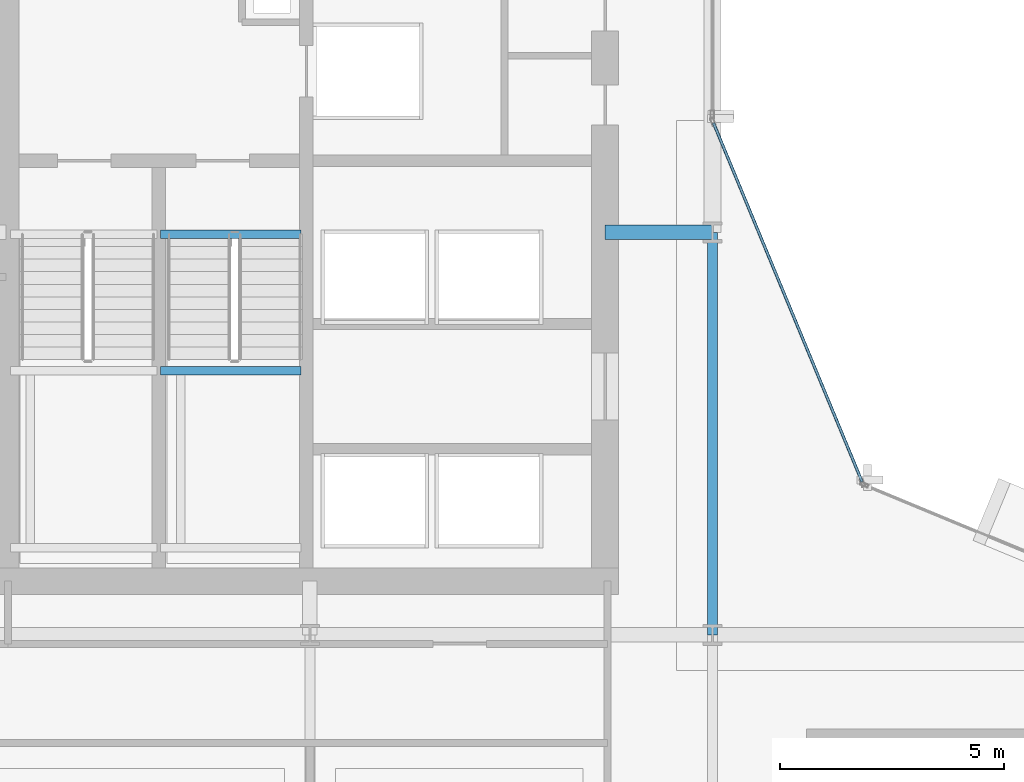
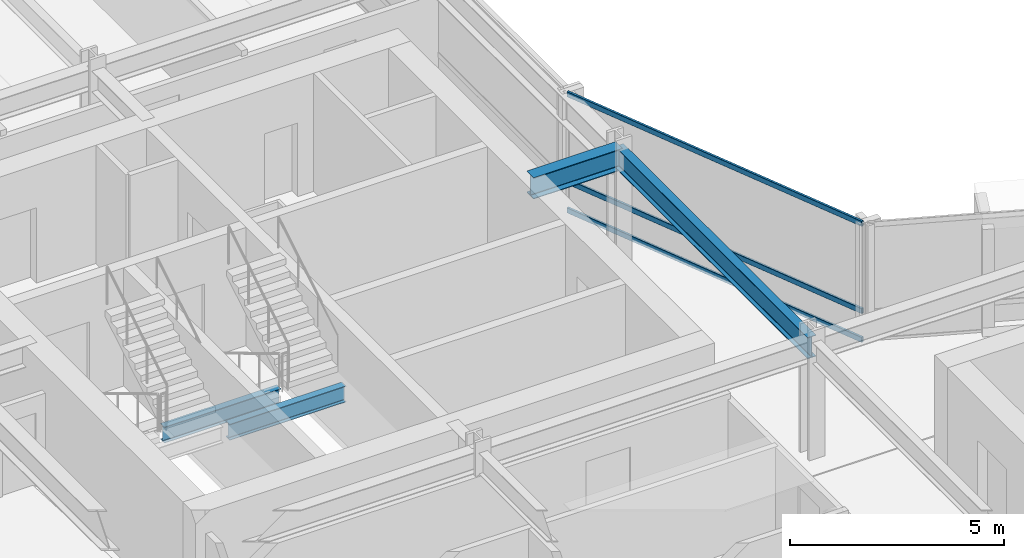
# One storey, part 21 of 35: 4 beams, 3 members, 1 element without a shape of its own.
"""IFC4 building model written with IfcOpenShell, lengths in metres."""

import ifcopenshell
import ifcopenshell.guid

model = None  # the IFC model being written
_history = None  # IfcOwnerHistory: only IFC2X3 demands one
_inside = {}  # id of a spatial element -> (the spatial element, [elements in it])
_under = {}  # id of a project, library or spatial element -> (it, [spatial elements below it])
_declared = {}  # id of a project -> (the project, [libraries it declares])
_typed = {}  # id of a type object -> (the type object, [elements of that type])
_made_of = {}  # id of a material, layer set ... -> (it, [elements and type objects made of it])


def new_model(schema):
    """Start an empty IFC model of exactly this schema.

    Asked for "IFC4X3", IfcOpenShell would pick the latest addendum, in which some entities
    have other attributes; the version numbers below select the first issue.
    IFC2X3 requires an IfcOwnerHistory on every rooted entity: one is made here for all.
    """
    global model, _history
    if schema == "IFC4X3":
        model = ifcopenshell.file(schema_version=(4, 3, 0, 0))
    else:
        model = ifcopenshell.file(schema=schema)
    _inside.clear()
    _under.clear()
    _declared.clear()
    _typed.clear()
    _made_of.clear()
    _history = None
    if model.schema == "IFC2X3":
        org = make("IfcOrganization", Name="unknown")
        user = make(
            "IfcPersonAndOrganization",
            ThePerson=make("IfcPerson", FamilyName="unknown"),
            TheOrganization=org,
        )
        app = make(
            "IfcApplication",
            ApplicationDeveloper=org,
            Version="unknown",
            ApplicationFullName="unknown",
            ApplicationIdentifier="unknown",
        )
        _history = make(
            "IfcOwnerHistory",
            OwningUser=user,
            OwningApplication=app,
            ChangeAction="ADDED",
            CreationDate=0,
        )
    return model


def make(cls, **values):
    """One entity of the class cls with the attributes given. An attribute that is None is left unset."""
    return model.create_entity(
        cls, **{name: value for name, value in values.items() if value is not None}
    )


def rooted(cls, **values):
    """An entity with a GlobalId (a new one), such as an element, a storey or a relation."""
    return make(cls, GlobalId=ifcopenshell.guid.new(), OwnerHistory=_history, **values)


def si_unit(unit_type, name, prefix=None):
    """IfcSIUnit, for example si_unit("LENGTHUNIT", "METRE", prefix="MILLI")."""
    return make("IfcSIUnit", UnitType=unit_type, Prefix=prefix, Name=name)


def assignment(units):
    """IfcUnitAssignment: the units of a project."""
    return None if units is None else make("IfcUnitAssignment", Units=units)


def point(xyz):
    """IfcCartesianPoint."""
    return None if xyz is None else make("IfcCartesianPoint", Coordinates=xyz)


def direction(xyz):
    """IfcDirection."""
    return None if xyz is None else make("IfcDirection", DirectionRatios=xyz)


def frame(location, z_axis=None, x_axis=None):
    """IfcAxis2Placement3D, a coordinate frame: its origin and axes. An axis left out is left unset."""
    return make(
        "IfcAxis2Placement3D",
        Location=point(location),
        Axis=direction(z_axis),
        RefDirection=direction(x_axis),
    )


def frame_2d(location, x_axis=None):
    """IfcAxis2Placement2D, a coordinate frame in the plane: its origin and x axis."""
    return make(
        "IfcAxis2Placement2D", Location=point(location), RefDirection=direction(x_axis)
    )


def origin():
    """The frame at (0, 0, 0) with its axes left unset."""
    return frame((0.0, 0.0, 0.0))


def origin_2d():
    """The frame at (0, 0) in the plane with its x axis left unset."""
    return frame_2d((0.0, 0.0))


def place(relative_to, where):
    """IfcLocalPlacement: puts the frame where relative to a parent placement (None: the world)."""
    return make(
        "IfcLocalPlacement", PlacementRelTo=relative_to, RelativePlacement=where
    )


def context(
    kind, dimensions, precision=None, world=None, true_north=None, identifier=None
):
    """IfcGeometricRepresentationContext, for example the 3D "Model" context."""
    return make(
        "IfcGeometricRepresentationContext",
        ContextIdentifier=identifier,
        ContextType=kind,
        CoordinateSpaceDimension=dimensions,
        Precision=precision,
        WorldCoordinateSystem=world,
        TrueNorth=true_north,
    )


def subcontext(parent, identifier, kind, view, scale=None):
    """IfcGeometricRepresentationSubContext, for example "Body" below "Model"."""
    return make(
        "IfcGeometricRepresentationSubContext",
        ContextIdentifier=identifier,
        ContextType=kind,
        ParentContext=parent,
        TargetScale=scale,
        TargetView=view,
    )


def project(units=None, contexts=None):
    """IfcProject with its units and contexts."""
    return rooted(
        "IfcProject",
        Name="project",
        RepresentationContexts=contexts,
        UnitsInContext=assignment(units),
    )


def spatial(cls, under=None, at=None, **own):
    """A site, building, storey or space (cls), placed at a placement, below another one or the project."""
    s = rooted(cls, ObjectPlacement=at, **own)
    if under is not None:
        _under.setdefault(under.id(), (under, []))[1].append(s)
    return s


def profile(cls, at=None, kind="AREA", **sizes):
    """A parametric profile (cls). Its sizes go by their IFC names, for example OverallWidth=200.0."""
    return make(cls, ProfileType=kind, Position=at, **sizes)


def hollow_rectangle(**sizes):
    """IfcRectangleHollowProfileDef."""
    return profile("IfcRectangleHollowProfileDef", **sizes)


def i_section(**sizes):
    """IfcIShapeProfileDef."""
    return profile("IfcIShapeProfileDef", **sizes)


def extrude(swept, where, along, depth):
    """IfcExtrudedAreaSolid: the profile swept, set in the frame where, extruded along a direction by depth."""
    return make(
        "IfcExtrudedAreaSolid",
        SweptArea=swept,
        Position=where,
        ExtrudedDirection=direction(along),
        Depth=depth,
    )


def shape(context_of_items, identifier, shape_type, items):
    """IfcShapeRepresentation: the items that make up one representation, for example the "Body"."""
    return make(
        "IfcShapeRepresentation",
        ContextOfItems=context_of_items,
        RepresentationIdentifier=identifier,
        RepresentationType=shape_type,
        Items=items,
    )


def material(Name=None, Category=None):
    """IfcMaterial."""
    return make("IfcMaterial", Name=Name, Category=Category)


def layer(
    of_material, thickness, ventilated=None, Name=None, Category=None, Priority=None
):
    """IfcMaterialLayer: one layer of a wall or slab, of a material (None: an air gap)."""
    return make(
        "IfcMaterialLayer",
        Material=of_material,
        LayerThickness=thickness,
        IsVentilated=ventilated,
        Name=Name,
        Category=Category,
        Priority=Priority,
    )


def layer_set(layers, Name=None):
    """IfcMaterialLayerSet."""
    return make("IfcMaterialLayerSet", MaterialLayers=layers, LayerSetName=Name)


def material_profile(
    of_material, cross_section, Name=None, Category=None, Priority=None
):
    """IfcMaterialProfile: a cross section and its material."""
    return make(
        "IfcMaterialProfile",
        Name=Name,
        Material=of_material,
        Profile=cross_section,
        Priority=Priority,
        Category=Category,
    )


def profile_set(profiles, Name=None, composite=None):
    """IfcMaterialProfileSet."""
    return make(
        "IfcMaterialProfileSet",
        Name=Name,
        MaterialProfiles=profiles,
        CompositeProfile=composite,
    )


def made_of(thing, what):
    """Note that an element or type object is made of a material, layer set ...; save() writes the relation."""
    if what is not None:
        _made_of.setdefault(what.id(), (what, []))[1].append(thing)
    return thing


def type_object(cls, material=None, **own):
    """A type object (cls), such as IfcWallType, which elements share."""
    return made_of(rooted(cls, **own), material)


def element(
    cls,
    number,
    at=None,
    inside=None,
    cuts=None,
    type_object=None,
    material=None,
    context=None,
    identifier="Body",
    shape_type=None,
    held_by="IfcProductDefinitionShape",
    body=None,
    shapes=None,
    **own,
):
    """One element of the class cls, such as IfcWall. Its Tag is "e" and its number.

    at: its placement. inside: the storey or other place that contains it. cuts: it is an
    opening in that element (IfcRelVoidsElement). A single representation is given by context,
    identifier, shape_type and body (its items); several are given by shapes. held_by: the class
    of the entity that holds the representations. save() writes the other relations.
    """
    e = rooted(cls, Tag="e%d" % number, ObjectPlacement=at, **own)
    if body is not None:
        shapes = [shape(context, identifier, shape_type, body)]
    if shapes is not None:
        e.Representation = make(held_by, Representations=shapes)
    if inside is not None:
        _inside.setdefault(inside.id(), (inside, []))[1].append(e)
    if cuts is not None:
        rooted(
            "IfcRelVoidsElement", RelatingBuildingElement=cuts, RelatedOpeningElement=e
        )
    if type_object is not None:
        _typed.setdefault(type_object.id(), (type_object, []))[1].append(e)
    return made_of(e, material)


def aggregate(whole, parts):
    """IfcRelAggregates: a whole, such as a stair, and the parts it consists of."""
    return rooted("IfcRelAggregates", RelatingObject=whole, RelatedObjects=parts)


def save(model, path):
    """Write the relations noted so far, then the file.

    IfcRelAggregates (storeys below a building ...), IfcRelContainedInSpatialStructure (elements
    in a storey), IfcRelDefinesByType, IfcRelAssociatesMaterial and IfcRelDeclares: one each for
    every whole, place, type object, material and project.
    """
    for whole, parts in _under.values():
        aggregate(whole, parts)
    for where, things in _inside.values():
        rooted(
            "IfcRelContainedInSpatialStructure",
            RelatedElements=things,
            RelatingStructure=where,
        )
    for kind, things in _typed.values():
        rooted("IfcRelDefinesByType", RelatedObjects=things, RelatingType=kind)
    for what, things in _made_of.values():
        rooted("IfcRelAssociatesMaterial", RelatedObjects=things, RelatingMaterial=what)
    for by, libraries in _declared.values():
        rooted("IfcRelDeclares", RelatingContext=by, RelatedDefinitions=libraries)
    model.write(path)


model = new_model("IFC4")

# Units and contexts
model_context = context("Model", 3, precision=1e-05, world=origin(), true_north=direction((0.0, 1.0)))
body_context = subcontext(model_context, "Body", "Model", "MODEL_VIEW")
ifc_project = project(units=[si_unit("LENGTHUNIT", "METRE"), si_unit("AREAUNIT", "SQUARE_METRE"), si_unit("VOLUMEUNIT", "CUBIC_METRE"), si_unit("PLANEANGLEUNIT", "RADIAN"), si_unit("MASSUNIT", "GRAM", prefix="KILO")], contexts=[model_context])

# Site, building, storey
site_placement = place(None, origin())
site = spatial("IfcSite", under=ifc_project, at=site_placement, CompositionType="ELEMENT")
building_placement = place(site_placement, origin())
building = spatial("IfcBuilding", under=site, at=building_placement, Name="Solvaryn Broadcast Tower", CompositionType="ELEMENT")
storey_placement = place(building_placement, frame((0.0, 0.0, 80.39990234375)))
storey = spatial("IfcBuildingStorey", under=building, at=storey_placement, Name="L19", CompositionType="ELEMENT", Elevation=80.39990234375)

# Beams
ifc_material_1 = material(Name="Steel ASTM A992 Grade 50", Category="steel")
ifc_material_profile_1 = material_profile(ifc_material_1, i_section(OverallWidth=0.323974609375, OverallDepth=0.611083984375, WebThickness=0.0126953125, FlangeThickness=0.01904296875, FilletRadius=0.014892578125, at=origin_2d()))
ifc_profile_set_1 = profile_set([ifc_material_profile_1], Name="Steel ASTM A992 Grade 50")
beam_type_1 = type_object("IfcBeamType", Name="BM-B1-W24X104", PredefinedType="BEAM", material=ifc_profile_set_1)
beam_1_placement = place(storey_placement, frame((24.60009765625, 36.0, 3.064697265625), z_axis=(1.0, 0.0, 0.0), x_axis=(0.0, 1.0, 0.0)))
element("IfcBeam", 1, at=beam_1_placement, inside=storey, type_object=beam_type_1, Name="L19 Core Tie Beam CTW2", PredefinedType="BEAM", context=body_context, shape_type="SweptSolid", body=[
    extrude(i_section(OverallWidth=0.323974609375, OverallDepth=0.611083984375, WebThickness=0.0126953125, FlangeThickness=0.01904296875, FilletRadius=0.014892578125, at=origin_2d()), origin(), (0.0, 0.0, 1.0), 2.39990234375),
])
ifc_material_2 = material(Name="Steel ASTM A992 Grade 50", Category="steel")
ifc_material_profile_2 = material_profile(ifc_material_2, i_section(OverallWidth=0.22802734375, OverallDepth=0.60791015625, WebThickness=0.01123046875, FlangeThickness=0.017333984375, FilletRadius=0.014892578125, at=origin_2d()))
ifc_profile_set_2 = profile_set([ifc_material_profile_2], Name="Steel ASTM A992 Grade 50")
beam_type_2 = type_object("IfcBeamType", Name="BM-B2-W24X76", PredefinedType="BEAM", material=ifc_profile_set_2)
beam_2_placement = place(storey_placement, frame((27.0, 27.0, 3.066162109375), z_axis=(0.0, 1.0, 0.0), x_axis=(-1.0, 0.0, 0.0)))
element("IfcBeam", 2, at=beam_2_placement, inside=storey, type_object=beam_type_2, Name="L19 Primary Beam Y (27-36 @ X=27)", PredefinedType="BEAM", context=body_context, shape_type="SweptSolid", body=[
    extrude(i_section(OverallWidth=0.22802734375, OverallDepth=0.60791015625, WebThickness=0.01123046875, FlangeThickness=0.017333984375, FilletRadius=0.014892578125, at=origin_2d()), origin(), (0.0, 0.0, 1.0), 9.0),
])
ifc_material_3 = material(Name="Steel ASTM A992 Grade 50", Category="steel")
ifc_material_profile_3 = material_profile(ifc_material_3, i_section(OverallWidth=0.18994140625, OverallDepth=0.45703125, WebThickness=0.009033203125, FlangeThickness=0.014404296875, FilletRadius=0.011962890625, at=origin_2d()))
ifc_profile_set_3 = profile_set([ifc_material_profile_3], Name="Steel ASTM A992 Grade 50")
beam_type_3 = type_object("IfcBeamType", Name="BM-B4-W18X50", PredefinedType="BEAM", material=ifc_profile_set_3)
for number, where, z_axis, x_axis, name in (
    (3, (14.659912109375, 35.9599609375, -0.50830078125), (1.0, 0.0, 0.0), (0.0, 1.0, 0.0), "L19 ST2 Stair Well Trimmer Beam"),
    (4, (14.659912109375, 32.909912109375, 1.421630859375), (1.0, 0.0, 0.0), (0.0, 1.0, 0.0), "L19 ST2 Landing Support Beam 1B"),
):
    element("IfcBeam", number, at=place(storey_placement, frame(where, z_axis=z_axis, x_axis=x_axis)), inside=storey, type_object=beam_type_3, Name=name, PredefinedType="BEAM", context=body_context, shape_type="SweptSolid", body=[
        extrude(i_section(OverallWidth=0.18994140625, OverallDepth=0.45703125, WebThickness=0.009033203125, FlangeThickness=0.014404296875, FilletRadius=0.011962890625, at=origin_2d()), origin(), (0.0, 0.0, 1.0), 3.14013671875),
    ])

# Curtain wall, members
ifc_material_4 = material(Name="Aluminium and Terracotta Unitised Curtain Wall", Category="masonry")
ifc_layer = layer(ifc_material_4, 0.199951171875)
ifc_layer_set = layer_set([ifc_layer], Name="CW-SYS2-LOWMID")
curtain_wall_type = type_object("IfcCurtainWallType", Name="CW-SYS2-LOWMID", PredefinedType="NOTDEFINED", material=ifc_layer_set)
curtain_wall_placement = place(storey_placement, origin())
curtain_wall = element("IfcCurtainWall", 5, at=curtain_wall_placement, inside=storey, type_object=curtain_wall_type, Name="L19 Curtain Wall CN2", PredefinedType="NOTDEFINED")
ifc_material_5 = material(Name="Anodised Aluminium 6063-T6", Category="aluminium")
ifc_material_profile_4 = material_profile(ifc_material_5, hollow_rectangle(XDim=0.06494140625, YDim=0.14990234375, WallThickness=0.00390625, InnerFilletRadius=0.00390625, OuterFilletRadius=0.008056640625, at=origin_2d()))
ifc_profile_set_4 = profile_set([ifc_material_profile_4], Name="Anodised Aluminium 6063-T6")
member_type = type_object("IfcMemberType", Name="CW-TRN-150", PredefinedType="USERDEFINED", material=ifc_profile_set_4)
member_1_placement = place(storey_placement, frame((30.344970703125, 30.42333984375, 0.030029296875), z_axis=(-0.382635748975, 0.923899282177, 0.0), x_axis=(-0.923899282177, -0.382635748975, 0.0)))
member_1 = element("IfcMember", 6, at=member_1_placement, type_object=member_type, Name="CWS2 transom 1.1", ObjectType="TRANSOM", PredefinedType="USERDEFINED", context=body_context, shape_type="SweptSolid", body=[
    extrude(hollow_rectangle(XDim=0.06494140625, YDim=0.14990234375, WallThickness=0.00390625, InnerFilletRadius=0.00390625, OuterFilletRadius=0.008056640625, at=origin_2d()), origin(), (0.0, 0.0, 1.0), 8.681884765625),
])
member_2_placement = place(storey_placement, frame((30.344970703125, 30.42333984375, 0.85009765625), z_axis=(-0.382635748975, 0.923899282177, 0.0), x_axis=(-0.923899282177, -0.382635748975, 0.0)))
member_2 = element("IfcMember", 7, at=member_2_placement, type_object=member_type, Name="CWS2 transom 1.2", ObjectType="TRANSOM", PredefinedType="USERDEFINED", context=body_context, shape_type="SweptSolid", body=[
    extrude(hollow_rectangle(XDim=0.06494140625, YDim=0.14990234375, WallThickness=0.00390625, InnerFilletRadius=0.00390625, OuterFilletRadius=0.008056640625, at=origin_2d()), origin(), (0.0, 0.0, 1.0), 8.681884765625),
])
member_3_placement = place(storey_placement, frame((30.344970703125, 30.42333984375, 3.340087890625), z_axis=(-0.382635748975, 0.923899282177, 0.0), x_axis=(-0.923899282177, -0.382635748975, 0.0)))
member_3 = element("IfcMember", 8, at=member_3_placement, type_object=member_type, Name="CWS2 transom 1.3", ObjectType="TRANSOM", PredefinedType="USERDEFINED", context=body_context, shape_type="SweptSolid", body=[
    extrude(hollow_rectangle(XDim=0.06494140625, YDim=0.14990234375, WallThickness=0.00390625, InnerFilletRadius=0.00390625, OuterFilletRadius=0.008056640625, at=origin_2d()), origin(), (0.0, 0.0, 1.0), 8.681884765625),
])
aggregate(curtain_wall, [member_1, member_2, member_3])

save(model, "model.ifc")
